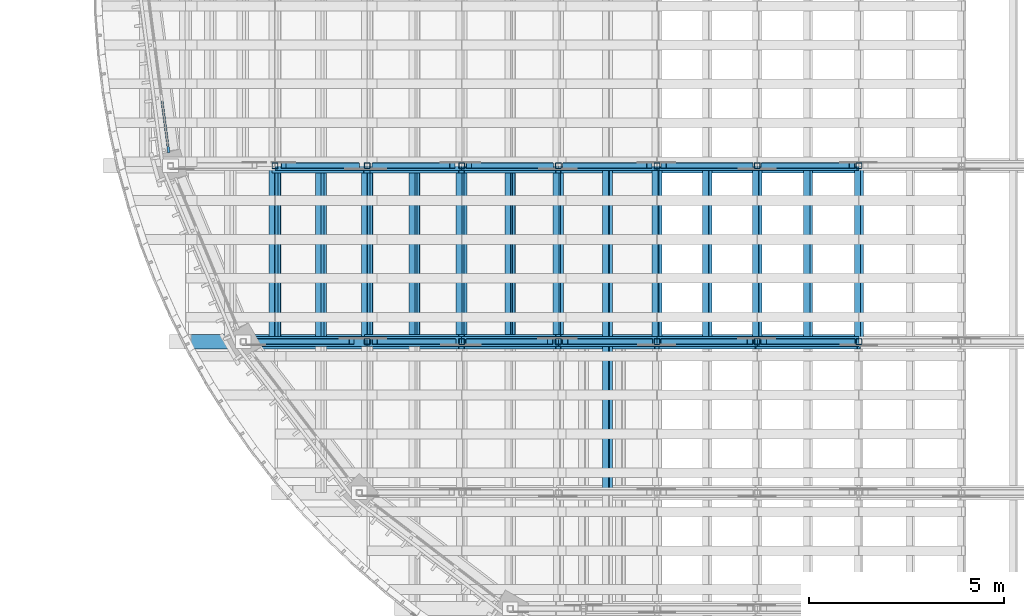
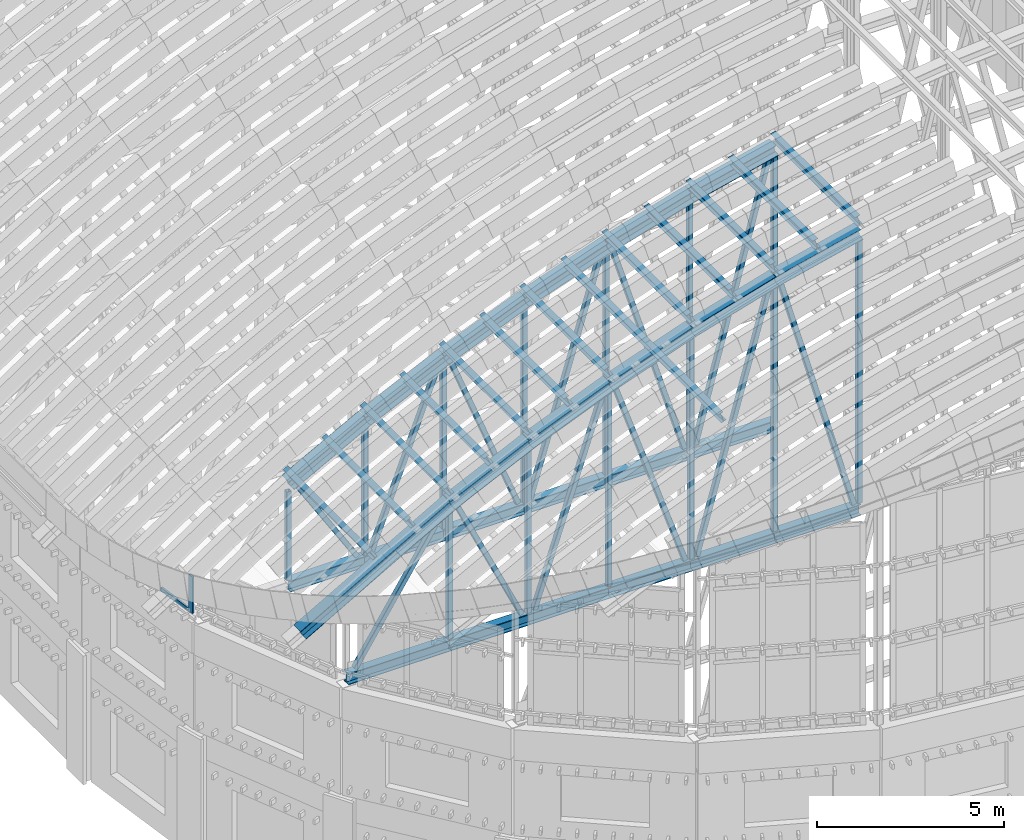
# One storey, part 6 of 105: 65 members, 1 element without a shape of its own.
"""IFC4 building model written with IfcOpenShell, lengths in metres."""

from ifc_helpers import new_model, si_unit, direction, frame, origin, origin_2d, place, context, subcontext, project, spatial, rectangle, hollow_rectangle, i_section, extrude, material, layer, layer_set, material_profile, profile_set, type_object, element, aggregate, save


model = new_model("IFC4")

# Units and contexts
model_context = context("Model", 3, precision=1e-05, world=origin(), true_north=direction((0.0, 1.0)))
body_context = subcontext(model_context, "Body", "Model", "MODEL_VIEW")
ifc_project = project(units=[si_unit("LENGTHUNIT", "METRE"), si_unit("AREAUNIT", "SQUARE_METRE"), si_unit("VOLUMEUNIT", "CUBIC_METRE"), si_unit("PLANEANGLEUNIT", "RADIAN"), si_unit("MASSUNIT", "GRAM", prefix="KILO")], contexts=[model_context])

# Site, building, storey
site_placement = place(None, origin())
site = spatial("IfcSite", under=ifc_project, at=site_placement, CompositionType="ELEMENT")
building_placement = place(site_placement, origin())
building = spatial("IfcBuilding", under=site, at=building_placement, Name="Wasatch Bagh Community Centre", CompositionType="ELEMENT")
storey_placement = place(building_placement, frame((0.0, 0.0, 16.800048828125)))
storey = spatial("IfcBuildingStorey", under=building, at=storey_placement, Name="L04", CompositionType="ELEMENT", Elevation=16.800048828125)

# Members
ifc_material_1 = material(Name="ASTM A500 Grade C steel", Category="steel")
ifc_material_profile_1 = material_profile(ifc_material_1, hollow_rectangle(XDim=0.15234375, YDim=0.15234375, WallThickness=0.0087890625, InnerFilletRadius=0.0087890625, OuterFilletRadius=0.017822265625, at=origin_2d()), Name="HSS6x6x3/8")
ifc_profile_set_1 = profile_set([ifc_material_profile_1], Name="ASTM A500 Grade C steel")
member_type_1 = type_object("IfcMemberType", Name="HSS6x6x3/8 brace", PredefinedType="BRACE", material=ifc_profile_set_1)
member_1_placement = place(storey_placement, frame((22.68310546875, 30.147216796875, 8.111572265625), z_axis=(-0.530690014661, 0.0, 0.847565990551), x_axis=(0.0, -1.0, 0.0)))
element("IfcMember", 1, at=member_1_placement, inside=storey, type_object=member_type_1, Name="MH.TS1.WB02", PredefinedType="BRACE", context=body_context, shape_type="SweptSolid", body=[
    extrude(hollow_rectangle(XDim=0.15234375, YDim=0.15234375, WallThickness=0.0087890625, InnerFilletRadius=0.0087890625, OuterFilletRadius=0.017822265625, at=origin_2d()), origin(), (0.0, 0.0, 1.0), 3.5556640625),
])
member_2_placement = place(storey_placement, frame((23.140869140625, 30.147216796875, 8.098388671875), z_axis=(0.360226506128, 0.0, 0.932864869251), x_axis=(0.0, 1.0, 0.0)))
element("IfcMember", 2, at=member_2_placement, inside=storey, type_object=member_type_1, Name="MH.TS1.WB03", PredefinedType="BRACE", context=body_context, shape_type="SweptSolid", body=[
    extrude(hollow_rectangle(XDim=0.15234375, YDim=0.15234375, WallThickness=0.0087890625, InnerFilletRadius=0.0087890625, OuterFilletRadius=0.017822265625, at=origin_2d()), origin(), (0.0, 0.0, 1.0), 5.533203125),
])
member_3_placement = place(storey_placement, frame((27.66162109375, 30.147216796875, 8.0986328125), z_axis=(-0.362328609595, 0.0, 0.932050416377), x_axis=(0.0, -1.0, 0.0)))
element("IfcMember", 3, at=member_3_placement, inside=storey, type_object=member_type_1, Name="MH.TS1.WB04", PredefinedType="BRACE", context=body_context, shape_type="SweptSolid", body=[
    extrude(hollow_rectangle(XDim=0.15234375, YDim=0.15234375, WallThickness=0.0087890625, InnerFilletRadius=0.0087890625, OuterFilletRadius=0.017822265625, at=origin_2d()), origin(), (0.0, 0.0, 1.0), 5.808349609375),
])
member_4_placement = place(storey_placement, frame((28.037353515625, 30.147216796875, 8.093017578125), z_axis=(0.289719392706, 0.0, 0.957111630632), x_axis=(0.0, 1.0, 0.0)))
element("IfcMember", 4, at=member_4_placement, inside=storey, type_object=member_type_1, Name="MH.TS1.WB05", PredefinedType="BRACE", context=body_context, shape_type="SweptSolid", body=[
    extrude(hollow_rectangle(XDim=0.15234375, YDim=0.15234375, WallThickness=0.0087890625, InnerFilletRadius=0.0087890625, OuterFilletRadius=0.017822265625, at=origin_2d()), origin(), (0.0, 0.0, 1.0), 7.45849609375),
])
member_5_placement = place(storey_placement, frame((32.79443359375, 30.147216796875, 8.09326171875), z_axis=(-0.291927052679, 0.0, 0.956440586714), x_axis=(0.0, -1.0, 0.0)))
element("IfcMember", 5, at=member_5_placement, inside=storey, type_object=member_type_1, Name="MH.TS1.WB06", PredefinedType="BRACE", context=body_context, shape_type="SweptSolid", body=[
    extrude(hollow_rectangle(XDim=0.15234375, YDim=0.15234375, WallThickness=0.0087890625, InnerFilletRadius=0.0087890625, OuterFilletRadius=0.017822265625, at=origin_2d()), origin(), (0.0, 0.0, 1.0), 7.6396484375),
])
member_6_placement = place(storey_placement, frame((33.14111328125, 30.147216796875, 8.090576171875), z_axis=(0.255877402939, 0.0, 0.966709239981), x_axis=(0.0, 1.0, 0.0)))
element("IfcMember", 6, at=member_6_placement, inside=storey, type_object=member_type_1, Name="MH.TS1.WB07", PredefinedType="BRACE", context=body_context, shape_type="SweptSolid", body=[
    extrude(hollow_rectangle(XDim=0.15234375, YDim=0.15234375, WallThickness=0.0087890625, InnerFilletRadius=0.0087890625, OuterFilletRadius=0.017822265625, at=origin_2d()), origin(), (0.0, 0.0, 1.0), 8.854248046875),
])
member_7_placement = place(storey_placement, frame((20.027587890625, 25.625, 8.112548828125), z_axis=(0.544069595645, 0.0, 0.83904009147), x_axis=(0.0, 1.0, 0.0)))
element("IfcMember", 7, at=member_7_placement, inside=storey, type_object=member_type_1, Name="MH.TS2.WB01", PredefinedType="BRACE", context=body_context, shape_type="SweptSolid", body=[
    extrude(hollow_rectangle(XDim=0.15234375, YDim=0.15234375, WallThickness=0.0087890625, InnerFilletRadius=0.0087890625, OuterFilletRadius=0.017822265625, at=origin_2d()), origin(), (0.0, 0.0, 1.0), 4.625),
])
member_8_placement = place(storey_placement, frame((25.15478515625, 25.625, 8.103515625), z_axis=(-0.42629430132, 0.0, 0.904584528202), x_axis=(0.0, -1.0, 0.0)))
element("IfcMember", 8, at=member_8_placement, inside=storey, type_object=member_type_1, Name="MH.TS2.WB02", PredefinedType="BRACE", context=body_context, shape_type="SweptSolid", body=[
    extrude(hollow_rectangle(XDim=0.15234375, YDim=0.15234375, WallThickness=0.0087890625, InnerFilletRadius=0.0087890625, OuterFilletRadius=0.017822265625, at=origin_2d()), origin(), (0.0, 0.0, 1.0), 4.728271484375),
])
member_9_placement = place(storey_placement, frame((25.55908203125, 25.625, 8.09521484375), z_axis=(0.318169383914, 0.0, 0.948033882907), x_axis=(0.0, 1.0, 0.0)))
element("IfcMember", 9, at=member_9_placement, inside=storey, type_object=member_type_1, Name="MH.TS2.WB03", PredefinedType="BRACE", context=body_context, shape_type="SweptSolid", body=[
    extrude(hollow_rectangle(XDim=0.15234375, YDim=0.15234375, WallThickness=0.0087890625, InnerFilletRadius=0.0087890625, OuterFilletRadius=0.017822265625, at=origin_2d()), origin(), (0.0, 0.0, 1.0), 6.5615234375),
])
member_10_placement = place(storey_placement, frame((30.208984375, 25.625, 8.095458984375), z_axis=(-0.320543512127, 0.0, 0.947233792067), x_axis=(0.0, -1.0, 0.0)))
element("IfcMember", 10, at=member_10_placement, inside=storey, type_object=member_type_1, Name="MH.TS2.WB04", PredefinedType="BRACE", context=body_context, shape_type="SweptSolid", body=[
    extrude(hollow_rectangle(XDim=0.15234375, YDim=0.15234375, WallThickness=0.0087890625, InnerFilletRadius=0.0087890625, OuterFilletRadius=0.017822265625, at=origin_2d()), origin(), (0.0, 0.0, 1.0), 6.783203125),
])
member_11_placement = place(storey_placement, frame((30.5673828125, 25.625, 8.091552734375), z_axis=(0.269835842543, 0.0, 0.962906339204), x_axis=(0.0, 1.0, 0.0)))
element("IfcMember", 11, at=member_11_placement, inside=storey, type_object=member_type_1, Name="MH.TS2.WB05", PredefinedType="BRACE", context=body_context, shape_type="SweptSolid", body=[
    extrude(hollow_rectangle(XDim=0.15234375, YDim=0.15234375, WallThickness=0.0087890625, InnerFilletRadius=0.0087890625, OuterFilletRadius=0.017822265625, at=origin_2d()), origin(), (0.0, 0.0, 1.0), 8.223388671875),
])
member_12_placement = place(storey_placement, frame((35.412353515625, 25.625, 8.091796875), z_axis=(-0.271729705992, 0.0, 0.962373610861), x_axis=(0.0, -1.0, 0.0)))
element("IfcMember", 12, at=member_12_placement, inside=storey, type_object=member_type_1, Name="MH.TS2.WB06", PredefinedType="BRACE", context=body_context, shape_type="SweptSolid", body=[
    extrude(hollow_rectangle(XDim=0.15234375, YDim=0.15234375, WallThickness=0.0087890625, InnerFilletRadius=0.0087890625, OuterFilletRadius=0.017822265625, at=origin_2d()), origin(), (0.0, 0.0, 1.0), 8.368408203125),
])
ifc_material_profile_2 = material_profile(ifc_material_1, hollow_rectangle(XDim=0.15234375, YDim=0.15234375, WallThickness=0.0087890625, InnerFilletRadius=0.0087890625, OuterFilletRadius=0.017822265625, at=origin_2d()), Name="HSS6x6x3/8")
ifc_profile_set_2 = profile_set([ifc_material_profile_2], Name="ASTM A500 Grade C steel")
member_type_2 = type_object("IfcMemberType", Name="HSS6x6x3/8 post", PredefinedType="POST", material=ifc_profile_set_2)
member_13_placement = place(storey_placement, frame((20.5751953125, 30.147216796875, 8.070556640625), z_axis=(0.0, 0.0, 1.0), x_axis=(1.0, 0.0, 0.0)))
element("IfcMember", 13, at=member_13_placement, inside=storey, type_object=member_type_2, Name="MH.TS1.PS02", PredefinedType="POST", context=body_context, shape_type="SweptSolid", body=[
    extrude(hollow_rectangle(XDim=0.15234375, YDim=0.15234375, WallThickness=0.0087890625, InnerFilletRadius=0.0087890625, OuterFilletRadius=0.017822265625, at=origin_2d()), origin(), (0.0, 0.0, 1.0), 2.889892578125),
])
member_14_placement = place(storey_placement, frame((22.943359375, 30.147216796875, 8.070556640625), z_axis=(0.0, 0.0, 1.0), x_axis=(1.0, 0.0, 0.0)))
element("IfcMember", 14, at=member_14_placement, inside=storey, type_object=member_type_2, Name="MH.TS1.PS03", PredefinedType="POST", context=body_context, shape_type="SweptSolid", body=[
    extrude(hollow_rectangle(XDim=0.15234375, YDim=0.15234375, WallThickness=0.0087890625, InnerFilletRadius=0.0087890625, OuterFilletRadius=0.017822265625, at=origin_2d()), origin(), (0.0, 0.0, 1.0), 4.171875),
])
member_15_placement = place(storey_placement, frame((25.373779296875, 30.147216796875, 8.070556640625), z_axis=(0.0, 0.0, 1.0), x_axis=(1.0, 0.0, 0.0)))
element("IfcMember", 15, at=member_15_placement, inside=storey, type_object=member_type_2, Name="MH.TS1.PS04", PredefinedType="POST", context=body_context, shape_type="SweptSolid", body=[
    extrude(hollow_rectangle(XDim=0.15234375, YDim=0.15234375, WallThickness=0.0087890625, InnerFilletRadius=0.0087890625, OuterFilletRadius=0.017822265625, at=origin_2d()), origin(), (0.0, 0.0, 1.0), 5.32763671875),
])
member_16_placement = place(storey_placement, frame((27.85986328125, 30.147216796875, 8.070556640625), z_axis=(0.0, 0.0, 1.0), x_axis=(1.0, 0.0, 0.0)))
element("IfcMember", 16, at=member_16_placement, inside=storey, type_object=member_type_2, Name="MH.TS1.PS05", PredefinedType="POST", context=body_context, shape_type="SweptSolid", body=[
    extrude(hollow_rectangle(XDim=0.15234375, YDim=0.15234375, WallThickness=0.0087890625, InnerFilletRadius=0.0087890625, OuterFilletRadius=0.017822265625, at=origin_2d()), origin(), (0.0, 0.0, 1.0), 6.35498046875),
])
member_17_placement = place(storey_placement, frame((30.39501953125, 30.147216796875, 8.070556640625), z_axis=(0.0, 0.0, 1.0), x_axis=(1.0, 0.0, 0.0)))
element("IfcMember", 17, at=member_17_placement, inside=storey, type_object=member_type_2, Name="MH.TS1.PS06", PredefinedType="POST", context=body_context, shape_type="SweptSolid", body=[
    extrude(hollow_rectangle(XDim=0.15234375, YDim=0.15234375, WallThickness=0.0087890625, InnerFilletRadius=0.0087890625, OuterFilletRadius=0.017822265625, at=origin_2d()), origin(), (0.0, 0.0, 1.0), 7.2509765625),
])
member_18_placement = place(storey_placement, frame((32.972412109375, 30.147216796875, 8.070556640625), z_axis=(0.0, 0.0, 1.0), x_axis=(1.0, 0.0, 0.0)))
element("IfcMember", 18, at=member_18_placement, inside=storey, type_object=member_type_2, Name="MH.TS1.PS07", PredefinedType="POST", context=body_context, shape_type="SweptSolid", body=[
    extrude(hollow_rectangle(XDim=0.15234375, YDim=0.15234375, WallThickness=0.0087890625, InnerFilletRadius=0.0087890625, OuterFilletRadius=0.017822265625, at=origin_2d()), origin(), (0.0, 0.0, 1.0), 8.013671875),
])
member_19_placement = place(storey_placement, frame((35.585205078125, 30.147216796875, 8.070556640625), z_axis=(0.0, 0.0, 1.0), x_axis=(1.0, 0.0, 0.0)))
element("IfcMember", 19, at=member_19_placement, inside=storey, type_object=member_type_2, Name="MH.TS1.PS08", PredefinedType="POST", context=body_context, shape_type="SweptSolid", body=[
    extrude(hollow_rectangle(XDim=0.15234375, YDim=0.15234375, WallThickness=0.0087890625, InnerFilletRadius=0.0087890625, OuterFilletRadius=0.017822265625, at=origin_2d()), origin(), (0.0, 0.0, 1.0), 8.64111328125),
])
member_20_placement = place(storey_placement, frame((22.943359375, 25.625, 8.070556640625), z_axis=(0.0, 0.0, 1.0), x_axis=(1.0, 0.0, 0.0)))
element("IfcMember", 20, at=member_20_placement, inside=storey, type_object=member_type_2, Name="MH.TS2.PS02", PredefinedType="POST", context=body_context, shape_type="SweptSolid", body=[
    extrude(hollow_rectangle(XDim=0.15234375, YDim=0.15234375, WallThickness=0.0087890625, InnerFilletRadius=0.0087890625, OuterFilletRadius=0.017822265625, at=origin_2d()), origin(), (0.0, 0.0, 1.0), 4.171875),
])
member_21_placement = place(storey_placement, frame((25.373779296875, 25.625, 8.070556640625), z_axis=(0.0, 0.0, 1.0), x_axis=(1.0, 0.0, 0.0)))
element("IfcMember", 21, at=member_21_placement, inside=storey, type_object=member_type_2, Name="MH.TS2.PS03", PredefinedType="POST", context=body_context, shape_type="SweptSolid", body=[
    extrude(hollow_rectangle(XDim=0.15234375, YDim=0.15234375, WallThickness=0.0087890625, InnerFilletRadius=0.0087890625, OuterFilletRadius=0.017822265625, at=origin_2d()), origin(), (0.0, 0.0, 1.0), 5.32763671875),
])
member_22_placement = place(storey_placement, frame((27.85986328125, 25.625, 8.070556640625), z_axis=(0.0, 0.0, 1.0), x_axis=(1.0, 0.0, 0.0)))
element("IfcMember", 22, at=member_22_placement, inside=storey, type_object=member_type_2, Name="MH.TS2.PS04", PredefinedType="POST", context=body_context, shape_type="SweptSolid", body=[
    extrude(hollow_rectangle(XDim=0.15234375, YDim=0.15234375, WallThickness=0.0087890625, InnerFilletRadius=0.0087890625, OuterFilletRadius=0.017822265625, at=origin_2d()), origin(), (0.0, 0.0, 1.0), 6.35498046875),
])
member_23_placement = place(storey_placement, frame((30.39501953125, 25.625, 8.070556640625), z_axis=(0.0, 0.0, 1.0), x_axis=(1.0, 0.0, 0.0)))
element("IfcMember", 23, at=member_23_placement, inside=storey, type_object=member_type_2, Name="MH.TS2.PS05", PredefinedType="POST", context=body_context, shape_type="SweptSolid", body=[
    extrude(hollow_rectangle(XDim=0.15234375, YDim=0.15234375, WallThickness=0.0087890625, InnerFilletRadius=0.0087890625, OuterFilletRadius=0.017822265625, at=origin_2d()), origin(), (0.0, 0.0, 1.0), 7.2509765625),
])
member_24_placement = place(storey_placement, frame((32.972412109375, 25.625, 8.070556640625), z_axis=(0.0, 0.0, 1.0), x_axis=(1.0, 0.0, 0.0)))
element("IfcMember", 24, at=member_24_placement, inside=storey, type_object=member_type_2, Name="MH.TS2.PS06", PredefinedType="POST", context=body_context, shape_type="SweptSolid", body=[
    extrude(hollow_rectangle(XDim=0.15234375, YDim=0.15234375, WallThickness=0.0087890625, InnerFilletRadius=0.0087890625, OuterFilletRadius=0.017822265625, at=origin_2d()), origin(), (0.0, 0.0, 1.0), 8.013671875),
])
member_25_placement = place(storey_placement, frame((35.585205078125, 25.625, 8.070556640625), z_axis=(0.0, 0.0, 1.0), x_axis=(1.0, 0.0, 0.0)))
element("IfcMember", 25, at=member_25_placement, inside=storey, type_object=member_type_2, Name="MH.TS2.PS07", PredefinedType="POST", context=body_context, shape_type="SweptSolid", body=[
    extrude(hollow_rectangle(XDim=0.15234375, YDim=0.15234375, WallThickness=0.0087890625, InnerFilletRadius=0.0087890625, OuterFilletRadius=0.017822265625, at=origin_2d()), origin(), (0.0, 0.0, 1.0), 8.64111328125),
])

# Curtain wall, members
ifc_material_2 = material(Name="Aluminium curtain wall frame with low-iron glass", Category="aluminium")
ifc_layer = layer(ifc_material_2, 0.10009765625)
ifc_layer_set = layer_set([ifc_layer], Name="Aluminium curtain wall frame with low-iron glass")
curtain_wall_type = type_object("IfcCurtainWallType", Name="MH end screen curtain wall 1", PredefinedType="NOTDEFINED", material=ifc_layer_set)
curtain_wall_placement = place(storey_placement, origin())
curtain_wall = element("IfcCurtainWall", 26, at=curtain_wall_placement, inside=storey, type_object=curtain_wall_type, Name="End screen 1", PredefinedType="NOTDEFINED")
ifc_material_3 = material(Name="Aluminium extrusion", Category="aluminium")
ifc_material_profile_3 = material_profile(ifc_material_3, rectangle(XDim=0.06005859375, YDim=0.159912109375, at=origin_2d()), Name="AL 60x160")
ifc_profile_set_3 = profile_set([ifc_material_profile_3], Name="Aluminium extrusion")
member_type_3 = type_object("IfcMemberType", Name="MH end screen mullion 60x160", PredefinedType="MULLION", material=ifc_profile_set_3)
member_26_placement = place(storey_placement, frame((17.83447265625, 30.56005859375, 7.699951171875), z_axis=(0.0, 0.0, 1.0), x_axis=(0.991444861374, 0.13052619222, 0.0)))
member_26 = element("IfcMember", 27, at=member_26_placement, type_object=member_type_3, Name="MH-CW1 mullion 4", PredefinedType="MULLION", context=body_context, shape_type="SweptSolid", body=[
    extrude(rectangle(XDim=0.06005859375, YDim=0.159912109375, at=origin_2d()), origin(), (0.0, 0.0, 1.0), 1.199951171875),
])
ifc_material_profile_4 = material_profile(ifc_material_3, rectangle(XDim=0.06005859375, YDim=0.1201171875, at=origin_2d()), Name="AL 60x120")
ifc_profile_set_4 = profile_set([ifc_material_profile_4], Name="Aluminium extrusion")
member_type_4 = type_object("IfcMemberType", Name="MH end screen transom 60x120", PredefinedType="USERDEFINED", material=ifc_profile_set_4)
member_27_placement = place(storey_placement, frame((17.6630859375, 31.86279296875, 7.72998046875), z_axis=(0.130444674855, -0.991455589929, 0.0), x_axis=(0.991455589929, 0.130444674855, 0.0)))
member_27 = element("IfcMember", 28, at=member_27_placement, type_object=member_type_4, Name="MH-CW1 transom 3.1", ObjectType="TRANSOM", PredefinedType="USERDEFINED", context=body_context, shape_type="SweptSolid", body=[
    extrude(rectangle(XDim=0.06005859375, YDim=0.1201171875, at=origin_2d()), origin(), (0.0, 0.0, 1.0), 1.283935546875),
])
aggregate(curtain_wall, [member_26, member_27])

# Members
ifc_material_4 = material(Name="ASTM A992 Grade 50 steel", Category="steel")
ifc_material_profile_5 = material_profile(ifc_material_4, i_section(OverallWidth=0.164794921875, OverallDepth=0.309814453125, WebThickness=0.005859375, FlangeThickness=0.009765625, at=origin_2d()), Name="W12x26")
ifc_profile_set_5 = profile_set([ifc_material_profile_5], Name="ASTM A992 Grade 50 steel")
member_type_5 = type_object("IfcMemberType", Name="W12x26 purlin", PredefinedType="PURLIN", material=ifc_profile_set_5)
member_28_placement = place(storey_placement, frame((29.12744140625, 21.74169921875, 15.44580078125), z_axis=(0.0, 1.0, 0.0), x_axis=(-0.944194315577, 0.0, -0.329388971326)))
element("IfcMember", 29, at=member_28_placement, inside=storey, type_object=member_type_5, Name="MH.TS3-TS2.PU07", PredefinedType="PURLIN", context=body_context, shape_type="SweptSolid", body=[
    extrude(i_section(OverallWidth=0.164794921875, OverallDepth=0.309814453125, WebThickness=0.005859375, FlangeThickness=0.009765625, at=origin_2d()), origin(), (0.0, 0.0, 1.0), 3.88330078125),
])
for number, where, z_axis, x_axis, name in (
    (30, (20.5751953125, 25.625, 11.600341796875), (0.0, 1.0, 0.0), (-0.856568214693, 0.0, -0.516033810499), "MH.TS2-TS1.PU02"),
    (31, (21.75927734375, 25.625, 12.2275390625), (0.0, 1.0, 0.0), (-0.882062247877, 0.0, -0.471132880269), "MH.TS2-TS1.PU03"),
    (32, (22.943359375, 25.625, 12.860107421875), (0.0, 1.0, 0.0), (-0.882062247877, 0.0, -0.471132880269), "MH.TS2-TS1.PU04"),
    (33, (24.15869140625, 25.625, 13.426025390625), (0.0, 1.0, 0.0), (-0.905204669284, 0.0, -0.424975889559), "MH.TS2-TS1.PU05"),
    (34, (25.373779296875, 25.625, 13.99658203125), (0.0, 1.0, 0.0), (-0.905204669284, 0.0, -0.424975889559), "MH.TS2-TS1.PU06"),
    (35, (26.616943359375, 25.625, 14.499755859375), (0.0, 1.0, 0.0), (-0.925933779633, 0.0, -0.377685895599), "MH.TS2-TS1.PU07"),
    (36, (27.85986328125, 25.625, 15.0068359375), (0.0, 1.0, 0.0), (-0.925933779633, 0.0, -0.377685895599), "MH.TS2-TS1.PU08"),
    (37, (29.12744140625, 25.625, 15.44580078125), (0.0, 1.0, 0.0), (-0.944194315577, 0.0, -0.329388971326), "MH.TS2-TS1.PU09"),
    (38, (30.39501953125, 25.625, 15.887939453125), (0.0, 1.0, 0.0), (-0.944194315577, 0.0, -0.329388971326), "MH.TS2-TS1.PU10"),
    (39, (31.683837890625, 25.625, 16.261474609375), (0.0, 1.0, 0.0), (-0.959937587317, 0.0, -0.280213897686), "MH.TS2-TS1.PU11"),
    (40, (32.972412109375, 25.625, 16.6376953125), (0.0, 1.0, 0.0), (-0.959937587317, 0.0, -0.280213897686), "MH.TS2-TS1.PU12"),
    (41, (34.27880859375, 25.625, 16.944580078125), (0.0, 1.0, 0.0), (-0.973121628566, 0.0, -0.23029176281), "MH.TS2-TS1.PU13"),
    (42, (35.585205078125, 25.625, 17.25390625), (0.0, 1.0, 0.0), (-0.973121628566, 0.0, -0.23029176281), "MH.TS2-TS1.PU14"),
):
    element("IfcMember", number, at=place(storey_placement, frame(where, z_axis=z_axis, x_axis=x_axis)), inside=storey, type_object=member_type_5, Name=name, PredefinedType="PURLIN", context=body_context, shape_type="SweptSolid", body=[
        extrude(i_section(OverallWidth=0.164794921875, OverallDepth=0.309814453125, WebThickness=0.005859375, FlangeThickness=0.009765625, at=origin_2d()), origin(), (0.0, 0.0, 1.0), 4.522216796875),
    ])
ifc_material_profile_6 = material_profile(ifc_material_4, i_section(OverallWidth=0.25390625, OverallDepth=0.355712890625, WebThickness=0.010498046875, FlangeThickness=0.018310546875, at=origin_2d()), Name="W14x68")
ifc_profile_set_6 = profile_set([ifc_material_profile_6], Name="ASTM A992 Grade 50 steel")
member_type_6 = type_object("IfcMemberType", Name="W14x68 chord", PredefinedType="CHORD", material=ifc_profile_set_6)
member_29_placement = place(storey_placement, frame((20.5751953125, 30.147216796875, 7.892822265625), z_axis=(1.0, 0.0, 0.0), x_axis=(0.0, 1.0, 0.0)))
element("IfcMember", 43, at=member_29_placement, inside=storey, type_object=member_type_6, Name="MH.TS1.BC02", PredefinedType="CHORD", context=body_context, shape_type="SweptSolid", body=[
    extrude(i_section(OverallWidth=0.25390625, OverallDepth=0.355712890625, WebThickness=0.010498046875, FlangeThickness=0.018310546875, at=origin_2d()), origin(), (0.0, 0.0, 1.0), 2.3681640625),
])
member_30_placement = place(storey_placement, frame((22.943359375, 30.147216796875, 7.892822265625), z_axis=(1.0, 0.0, 0.0), x_axis=(0.0, 1.0, 0.0)))
element("IfcMember", 44, at=member_30_placement, inside=storey, type_object=member_type_6, Name="MH.TS1.BC03", PredefinedType="CHORD", context=body_context, shape_type="SweptSolid", body=[
    extrude(i_section(OverallWidth=0.25390625, OverallDepth=0.355712890625, WebThickness=0.010498046875, FlangeThickness=0.018310546875, at=origin_2d()), origin(), (0.0, 0.0, 1.0), 2.430419921875),
])
member_31_placement = place(storey_placement, frame((25.373779296875, 30.147216796875, 7.892822265625), z_axis=(1.0, 0.0, 0.0), x_axis=(0.0, 1.0, 0.0)))
element("IfcMember", 45, at=member_31_placement, inside=storey, type_object=member_type_6, Name="MH.TS1.BC04", PredefinedType="CHORD", context=body_context, shape_type="SweptSolid", body=[
    extrude(i_section(OverallWidth=0.25390625, OverallDepth=0.355712890625, WebThickness=0.010498046875, FlangeThickness=0.018310546875, at=origin_2d()), origin(), (0.0, 0.0, 1.0), 2.486083984375),
])
member_32_placement = place(storey_placement, frame((27.85986328125, 30.147216796875, 7.892822265625), z_axis=(1.0, 0.0, 0.0), x_axis=(0.0, 1.0, 0.0)))
element("IfcMember", 46, at=member_32_placement, inside=storey, type_object=member_type_6, Name="MH.TS1.BC05", PredefinedType="CHORD", context=body_context, shape_type="SweptSolid", body=[
    extrude(i_section(OverallWidth=0.25390625, OverallDepth=0.355712890625, WebThickness=0.010498046875, FlangeThickness=0.018310546875, at=origin_2d()), origin(), (0.0, 0.0, 1.0), 2.53515625),
])
member_33_placement = place(storey_placement, frame((30.39501953125, 30.147216796875, 7.892822265625), z_axis=(1.0, 0.0, 0.0), x_axis=(0.0, 1.0, 0.0)))
element("IfcMember", 47, at=member_33_placement, inside=storey, type_object=member_type_6, Name="MH.TS1.BC06", PredefinedType="CHORD", context=body_context, shape_type="SweptSolid", body=[
    extrude(i_section(OverallWidth=0.25390625, OverallDepth=0.355712890625, WebThickness=0.010498046875, FlangeThickness=0.018310546875, at=origin_2d()), origin(), (0.0, 0.0, 1.0), 2.577392578125),
])
member_34_placement = place(storey_placement, frame((32.972412109375, 30.147216796875, 7.892822265625), z_axis=(1.0, 0.0, 0.0), x_axis=(0.0, 1.0, 0.0)))
element("IfcMember", 48, at=member_34_placement, inside=storey, type_object=member_type_6, Name="MH.TS1.BC07", PredefinedType="CHORD", context=body_context, shape_type="SweptSolid", body=[
    extrude(i_section(OverallWidth=0.25390625, OverallDepth=0.355712890625, WebThickness=0.010498046875, FlangeThickness=0.018310546875, at=origin_2d()), origin(), (0.0, 0.0, 1.0), 2.61279296875),
])
member_35_placement = place(storey_placement, frame((19.761962890625, 25.625, 7.892822265625), z_axis=(1.0, 0.0, 0.0), x_axis=(0.0, 1.0, 0.0)))
element("IfcMember", 49, at=member_35_placement, inside=storey, type_object=member_type_6, Name="MH.TS2.BC01", PredefinedType="CHORD", context=body_context, shape_type="SweptSolid", body=[
    extrude(i_section(OverallWidth=0.25390625, OverallDepth=0.355712890625, WebThickness=0.010498046875, FlangeThickness=0.018310546875, at=origin_2d()), origin(), (0.0, 0.0, 1.0), 3.181396484375),
])
member_36_placement = place(storey_placement, frame((22.943359375, 25.625, 7.892822265625), z_axis=(1.0, 0.0, 0.0), x_axis=(0.0, 1.0, 0.0)))
element("IfcMember", 50, at=member_36_placement, inside=storey, type_object=member_type_6, Name="MH.TS2.BC02", PredefinedType="CHORD", context=body_context, shape_type="SweptSolid", body=[
    extrude(i_section(OverallWidth=0.25390625, OverallDepth=0.355712890625, WebThickness=0.010498046875, FlangeThickness=0.018310546875, at=origin_2d()), origin(), (0.0, 0.0, 1.0), 2.430419921875),
])
member_37_placement = place(storey_placement, frame((25.373779296875, 25.625, 7.892822265625), z_axis=(1.0, 0.0, 0.0), x_axis=(0.0, 1.0, 0.0)))
element("IfcMember", 51, at=member_37_placement, inside=storey, type_object=member_type_6, Name="MH.TS2.BC03", PredefinedType="CHORD", context=body_context, shape_type="SweptSolid", body=[
    extrude(i_section(OverallWidth=0.25390625, OverallDepth=0.355712890625, WebThickness=0.010498046875, FlangeThickness=0.018310546875, at=origin_2d()), origin(), (0.0, 0.0, 1.0), 2.486083984375),
])
member_38_placement = place(storey_placement, frame((27.85986328125, 25.625, 7.892822265625), z_axis=(1.0, 0.0, 0.0), x_axis=(0.0, 1.0, 0.0)))
element("IfcMember", 52, at=member_38_placement, inside=storey, type_object=member_type_6, Name="MH.TS2.BC04", PredefinedType="CHORD", context=body_context, shape_type="SweptSolid", body=[
    extrude(i_section(OverallWidth=0.25390625, OverallDepth=0.355712890625, WebThickness=0.010498046875, FlangeThickness=0.018310546875, at=origin_2d()), origin(), (0.0, 0.0, 1.0), 2.53515625),
])
member_39_placement = place(storey_placement, frame((30.39501953125, 25.625, 7.892822265625), z_axis=(1.0, 0.0, 0.0), x_axis=(0.0, 1.0, 0.0)))
element("IfcMember", 53, at=member_39_placement, inside=storey, type_object=member_type_6, Name="MH.TS2.BC05", PredefinedType="CHORD", context=body_context, shape_type="SweptSolid", body=[
    extrude(i_section(OverallWidth=0.25390625, OverallDepth=0.355712890625, WebThickness=0.010498046875, FlangeThickness=0.018310546875, at=origin_2d()), origin(), (0.0, 0.0, 1.0), 2.577392578125),
])
member_40_placement = place(storey_placement, frame((32.972412109375, 25.625, 7.892822265625), z_axis=(1.0, 0.0, 0.0), x_axis=(0.0, 1.0, 0.0)))
element("IfcMember", 54, at=member_40_placement, inside=storey, type_object=member_type_6, Name="MH.TS2.BC06", PredefinedType="CHORD", context=body_context, shape_type="SweptSolid", body=[
    extrude(i_section(OverallWidth=0.25390625, OverallDepth=0.355712890625, WebThickness=0.010498046875, FlangeThickness=0.018310546875, at=origin_2d()), origin(), (0.0, 0.0, 1.0), 2.61279296875),
])
ifc_material_profile_7 = material_profile(ifc_material_4, i_section(OverallWidth=0.368408203125, OverallDepth=0.355712890625, WebThickness=0.01123046875, FlangeThickness=0.01806640625, at=origin_2d()), Name="W14x90")
ifc_profile_set_7 = profile_set([ifc_material_profile_7], Name="ASTM A992 Grade 50 steel")
member_type_7 = type_object("IfcMemberType", Name="W14x90 chord", PredefinedType="CHORD", material=ifc_profile_set_7)
member_41_placement = place(storey_placement, frame((20.57958984375, 30.147216796875, 11.21728515625), z_axis=(0.881181578035, 0.0, 0.472777988629), x_axis=(0.0, 1.0, 0.0)))
element("IfcMember", 55, at=member_41_placement, inside=storey, type_object=member_type_7, Name="MH.TS1.TC04", PredefinedType="CHORD", context=body_context, shape_type="SweptSolid", body=[
    extrude(i_section(OverallWidth=0.368408203125, OverallDepth=0.355712890625, WebThickness=0.01123046875, FlangeThickness=0.01806640625, at=origin_2d()), origin(), (0.0, 0.0, 1.0), 2.677490234375),
])
member_42_placement = place(storey_placement, frame((22.947998046875, 30.147216796875, 12.487548828125), z_axis=(0.904495989903, 0.0, 0.426482126529), x_axis=(0.0, 1.0, 0.0)))
element("IfcMember", 56, at=member_42_placement, inside=storey, type_object=member_type_7, Name="MH.TS1.TC05", PredefinedType="CHORD", context=body_context, shape_type="SweptSolid", body=[
    extrude(i_section(OverallWidth=0.368408203125, OverallDepth=0.355712890625, WebThickness=0.01123046875, FlangeThickness=0.01806640625, at=origin_2d()), origin(), (0.0, 0.0, 1.0), 2.6767578125),
])
member_43_placement = place(storey_placement, frame((25.378662109375, 30.147216796875, 13.63330078125), z_axis=(0.92541320561, 0.0, 0.378959626982), x_axis=(0.0, 1.0, 0.0)))
element("IfcMember", 57, at=member_43_placement, inside=storey, type_object=member_type_7, Name="MH.TS1.TC06", PredefinedType="CHORD", context=body_context, shape_type="SweptSolid", body=[
    extrude(i_section(OverallWidth=0.368408203125, OverallDepth=0.355712890625, WebThickness=0.01123046875, FlangeThickness=0.01806640625, at=origin_2d()), origin(), (0.0, 0.0, 1.0), 2.67626953125),
])
member_44_placement = place(storey_placement, frame((27.86474609375, 30.147216796875, 14.651123046875), z_axis=(0.943812827742, 0.0, 0.330480477773), x_axis=(0.0, 1.0, 0.0)))
element("IfcMember", 58, at=member_44_placement, inside=storey, type_object=member_type_7, Name="MH.TS1.TC07", PredefinedType="CHORD", context=body_context, shape_type="SweptSolid", body=[
    extrude(i_section(OverallWidth=0.368408203125, OverallDepth=0.355712890625, WebThickness=0.01123046875, FlangeThickness=0.01806640625, at=origin_2d()), origin(), (0.0, 0.0, 1.0), 2.67578125),
])
for number, where, z_axis, x_axis, name in (
    (59, (30.39990234375, 30.147216796875, 15.53857421875), (0.959642555684, 0.0, 0.281222625903), (0.0, 1.0, 0.0), "MH.TS1.TC08"),
    (60, (32.977294921875, 30.147216796875, 16.29345703125), (0.972941166496, 0.0, 0.231052995082), (0.0, 1.0, 0.0), "MH.TS1.TC09"),
):
    element("IfcMember", number, at=place(storey_placement, frame(where, z_axis=z_axis, x_axis=x_axis)), inside=storey, type_object=member_type_7, Name=name, PredefinedType="CHORD", context=body_context, shape_type="SweptSolid", body=[
        extrude(i_section(OverallWidth=0.368408203125, OverallDepth=0.355712890625, WebThickness=0.01123046875, FlangeThickness=0.01806640625, at=origin_2d()), origin(), (0.0, 0.0, 1.0), 2.675537109375),
    ])
member_45_placement = place(storey_placement, frame((18.338134765625, 25.625, 9.8642578125), z_axis=(0.869067781623, 0.0, 0.494693026982), x_axis=(0.0, 1.0, 0.0)))
element("IfcMember", 61, at=member_45_placement, inside=storey, type_object=member_type_7, Name="MH.TS2.TC01", PredefinedType="CHORD", context=body_context, shape_type="SweptSolid", body=[
    extrude(i_section(OverallWidth=0.368408203125, OverallDepth=0.355712890625, WebThickness=0.01123046875, FlangeThickness=0.01806640625, at=origin_2d()), origin(), (0.0, 0.0, 1.0), 5.2939453125),
])
member_46_placement = place(storey_placement, frame((22.947998046875, 25.625, 12.487548828125), z_axis=(0.904495989903, 0.0, 0.426482126529), x_axis=(0.0, 1.0, 0.0)))
element("IfcMember", 62, at=member_46_placement, inside=storey, type_object=member_type_7, Name="MH.TS2.TC04", PredefinedType="CHORD", context=body_context, shape_type="SweptSolid", body=[
    extrude(i_section(OverallWidth=0.368408203125, OverallDepth=0.355712890625, WebThickness=0.01123046875, FlangeThickness=0.01806640625, at=origin_2d()), origin(), (0.0, 0.0, 1.0), 2.6767578125),
])
member_47_placement = place(storey_placement, frame((25.378662109375, 25.625, 13.63330078125), z_axis=(0.92541320561, 0.0, 0.378959626982), x_axis=(0.0, 1.0, 0.0)))
element("IfcMember", 63, at=member_47_placement, inside=storey, type_object=member_type_7, Name="MH.TS2.TC05", PredefinedType="CHORD", context=body_context, shape_type="SweptSolid", body=[
    extrude(i_section(OverallWidth=0.368408203125, OverallDepth=0.355712890625, WebThickness=0.01123046875, FlangeThickness=0.01806640625, at=origin_2d()), origin(), (0.0, 0.0, 1.0), 2.67626953125),
])
member_48_placement = place(storey_placement, frame((27.86474609375, 25.625, 14.651123046875), z_axis=(0.943812827742, 0.0, 0.330480477773), x_axis=(0.0, 1.0, 0.0)))
element("IfcMember", 64, at=member_48_placement, inside=storey, type_object=member_type_7, Name="MH.TS2.TC06", PredefinedType="CHORD", context=body_context, shape_type="SweptSolid", body=[
    extrude(i_section(OverallWidth=0.368408203125, OverallDepth=0.355712890625, WebThickness=0.01123046875, FlangeThickness=0.01806640625, at=origin_2d()), origin(), (0.0, 0.0, 1.0), 2.67578125),
])
for number, where, z_axis, x_axis, name in (
    (65, (30.39990234375, 25.625, 15.53857421875), (0.959642555684, 0.0, 0.281222625903), (0.0, 1.0, 0.0), "MH.TS2.TC07"),
    (66, (32.977294921875, 25.625, 16.29345703125), (0.972941166496, 0.0, 0.231052995082), (0.0, 1.0, 0.0), "MH.TS2.TC08"),
):
    element("IfcMember", number, at=place(storey_placement, frame(where, z_axis=z_axis, x_axis=x_axis)), inside=storey, type_object=member_type_7, Name=name, PredefinedType="CHORD", context=body_context, shape_type="SweptSolid", body=[
        extrude(i_section(OverallWidth=0.368408203125, OverallDepth=0.355712890625, WebThickness=0.01123046875, FlangeThickness=0.01806640625, at=origin_2d()), origin(), (0.0, 0.0, 1.0), 2.675537109375),
    ])

save(model, "model.ifc")
